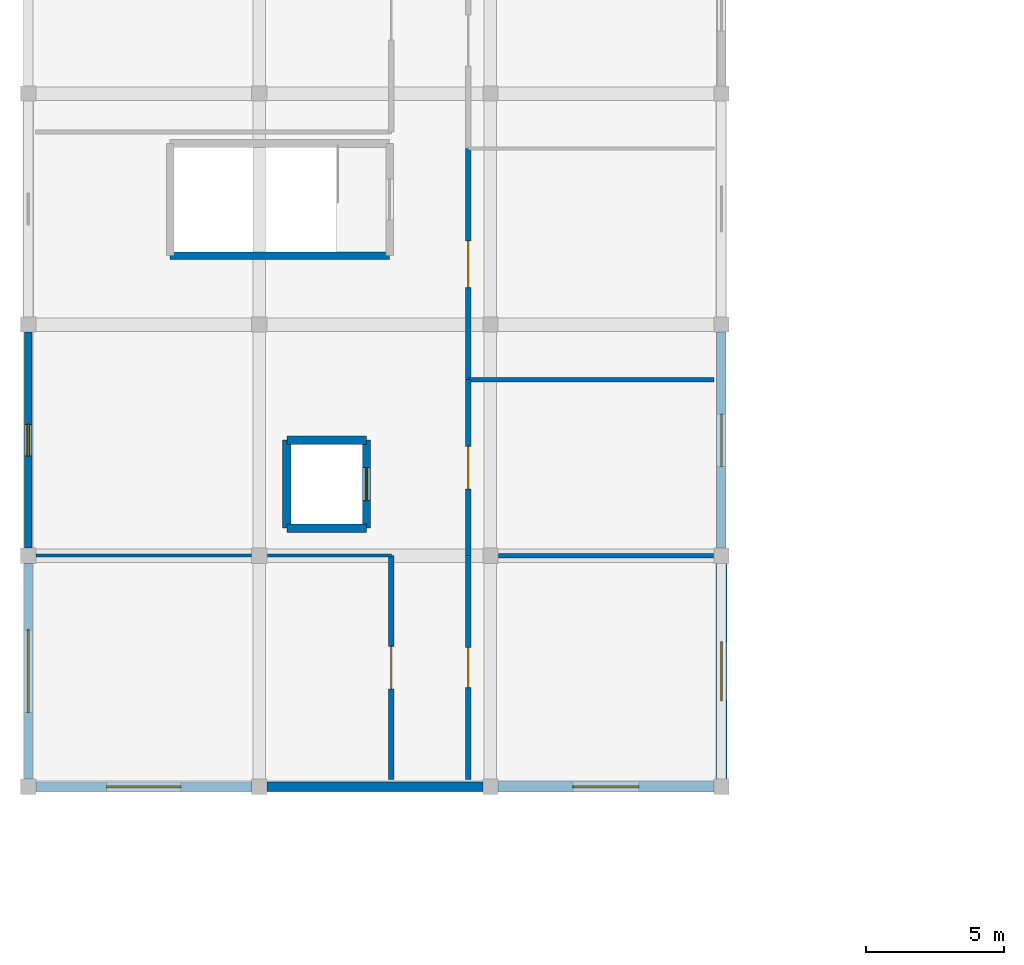
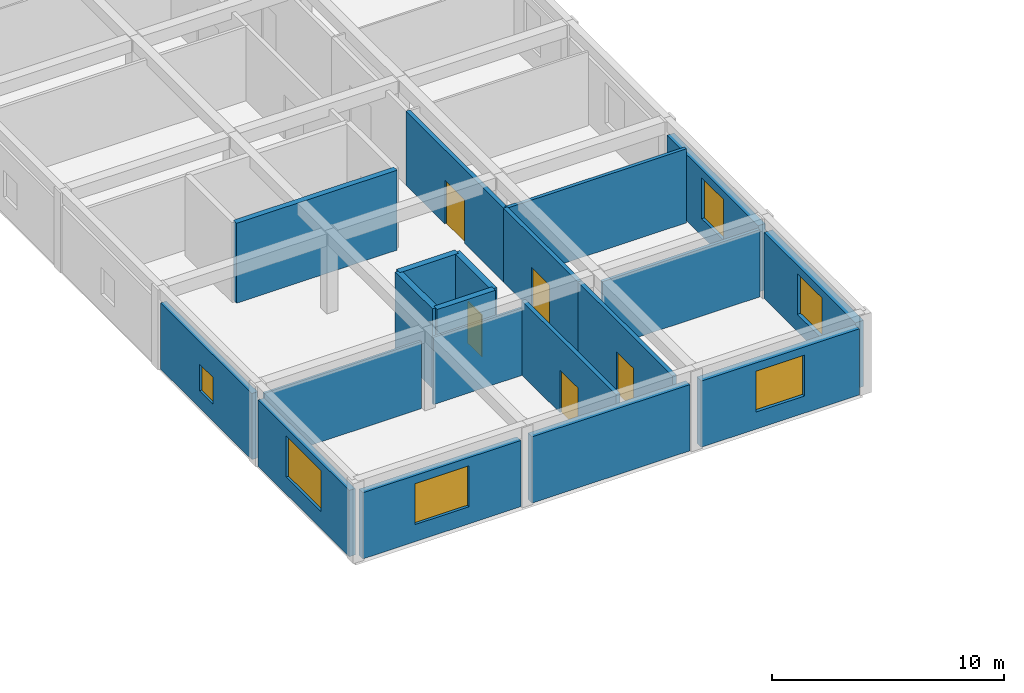
# One storey, part 43 of 77: 20 walls, 6 windows, 5 doors, 11 openings.
"""IFC4 building model written with IfcOpenShell, lengths in metres."""

from ifc_helpers import new_model, si_unit, direction, frame, frame_2d, origin, place, context, subcontext, project, spatial, rectangle, extrude, material, layer, layer_set, type_object, element, fill, save


model = new_model("IFC4")

# Units and contexts
model_context = context("Model", 3, precision=1e-05, world=origin(), true_north=direction((0.0, 1.0)))
body_context = subcontext(model_context, "Body", "Model", "MODEL_VIEW")
ifc_project = project(units=[si_unit("LENGTHUNIT", "METRE"), si_unit("AREAUNIT", "SQUARE_METRE"), si_unit("VOLUMEUNIT", "CUBIC_METRE"), si_unit("PLANEANGLEUNIT", "RADIAN"), si_unit("MASSUNIT", "GRAM", prefix="KILO")], contexts=[model_context])

# Site, building, storey
site_placement = place(None, origin())
site = spatial("IfcSite", under=ifc_project, at=site_placement, CompositionType="ELEMENT")
building_placement = place(site_placement, origin())
building = spatial("IfcBuilding", under=site, at=building_placement, Name="Varncliffe General Hospital", CompositionType="ELEMENT")
storey_placement = place(building_placement, frame((0.0, 0.0, 16.199951171875)))
storey = spatial("IfcBuildingStorey", under=building, at=storey_placement, Name="L03", CompositionType="ELEMENT", Elevation=16.199951171875)

# Wall, opening, window
ifc_material_1 = material(Name="Precast concrete C40/50 with insulated cream lime-cement stucco", Category="concrete")
ifc_layer_1 = layer(ifc_material_1, 0.31005859375)
ifc_layer_set_1 = layer_set([ifc_layer_1], Name="Precast concrete C40/50 with insulated cream lime-cement stucco")
wall_type_1 = type_object("IfcWallType", Name="Exterior Insulated Stucco Wall EW20 (310mm)", PredefinedType="SOLIDWALL", material=ifc_layer_set_1)
wall_1_placement = place(storey_placement, frame((0.0, 41.072998046875, 0.0), z_axis=(0.0, 0.0, 1.0), x_axis=(0.0, 1.0, 0.0)))
wall_1 = element("IfcWall", 1, at=wall_1_placement, inside=storey, type_object=wall_type_1, Name="L03 Exterior Stucco Wall EW20-298", PredefinedType="SOLIDWALL", context=body_context, shape_type="SweptSolid", body=[
    extrude(rectangle(XDim=7.85400390625, YDim=0.31005859375, at=frame_2d((3.927001953125, 0.0))), origin(), (0.0, 0.0, 1.0), 3.47998046875),
])
opening_1_placement = place(wall_1_placement, frame((2.427001953125, 0.0, 0.89990234375)))
opening_1 = element("IfcOpeningElement", 2, at=opening_1_placement, cuts=wall_1, Name="Opening WN37", PredefinedType="OPENING", context=body_context, shape_type="SweptSolid", body=[
    extrude(rectangle(XDim=3.0, YDim=2.14990234375, at=frame_2d((1.5, 1.074951171875))), frame((0.0, 0.1650390625, 0.0), z_axis=(0.0, -1.0, 0.0), x_axis=(1.0, 0.0, 0.0)), (0.0, 0.0, 1.0), 0.330078125),
])
ifc_material_2 = material(Name="Triple low-E argon insulated vision glazing", Category="glass")
window_type_1 = type_object("IfcWindowType", Name="Triple-Glazed Hospital Window WN37 (3000x2150)", PartitioningType="DOUBLE_PANEL_VERTICAL", PredefinedType="WINDOW", material=ifc_material_2)
window_1_placement = place(opening_1_placement, origin())
window_1 = element("IfcWindow", 3, at=window_1_placement, inside=storey, type_object=window_type_1, Name="L03 Hospital Window WN37-216", OverallHeight=2.14990234375, OverallWidth=3.0, PartitioningType="DOUBLE_PANEL_VERTICAL", PredefinedType="WINDOW", context=body_context, shape_type="SweptSolid", body=[
    extrude(rectangle(XDim=3.0, YDim=2.14990234375, at=frame_2d((1.5, 1.074951171875))), frame((0.0, 0.030029296875, 0.0), z_axis=(0.0, -1.0, 0.0), x_axis=(1.0, 0.0, 0.0)), (0.0, 0.0, 1.0), 0.06005859375),
])
fill(opening_1, window_1)

ifc_layer_2 = layer(ifc_material_1, 0.3798828125)
ifc_layer_set_2 = layer_set([ifc_layer_2], Name="Precast concrete C40/50 with insulated cream lime-cement stucco")
wall_type_2 = type_object("IfcWallType", Name="Exterior Insulated Stucco Wall EW26 (380mm)", PredefinedType="SOLIDWALL", material=ifc_layer_set_2)
wall_2_placement = place(storey_placement, frame((24.927001953125, 40.800048828125, 0.0), z_axis=(0.0, 0.0, 1.0), x_axis=(-1.0, 0.0, 0.0)))
wall_2 = element("IfcWall", 4, at=wall_2_placement, inside=storey, type_object=wall_type_2, Name="L03 Exterior Stucco Wall EW26-295", PredefinedType="SOLIDWALL", context=body_context, shape_type="SweptSolid", body=[
    extrude(rectangle(XDim=7.85400390625, YDim=0.3798828125, at=frame_2d((3.927001953125, 0.0))), origin(), (0.0, 0.0, 1.0), 3.47998046875),
])
opening_2_placement = place(wall_2_placement, frame((2.72705078125, 0.0, 0.89990234375)))
opening_2 = element("IfcOpeningElement", 5, at=opening_2_placement, cuts=wall_2, Name="Opening WN61", PredefinedType="OPENING", context=body_context, shape_type="SweptSolid", body=[
    extrude(rectangle(XDim=2.39990234375, YDim=2.14990234375, at=frame_2d((1.199951171875, 1.074951171875))), frame((0.0, 0.199951171875, 0.0), z_axis=(0.0, -1.0, 0.0), x_axis=(1.0, 0.0, 0.0)), (0.0, 0.0, 1.0), 0.39990234375),
])
window_type_2 = type_object("IfcWindowType", Name="Triple-Glazed Hospital Window WN61 (2400x2150)", PartitioningType="DOUBLE_PANEL_VERTICAL", PredefinedType="WINDOW", material=ifc_material_2)
window_2_placement = place(opening_2_placement, origin())
window_2 = element("IfcWindow", 6, at=window_2_placement, inside=storey, type_object=window_type_2, Name="L03 Hospital Window WN61-214", OverallHeight=2.14990234375, OverallWidth=2.39990234375, PartitioningType="DOUBLE_PANEL_VERTICAL", PredefinedType="WINDOW", context=body_context, shape_type="SweptSolid", body=[
    extrude(rectangle(XDim=2.39990234375, YDim=2.14990234375, at=frame_2d((1.199951171875, 1.074951171875))), frame((0.0, 0.030029296875, 0.0), z_axis=(0.0, -1.0, 0.0), x_axis=(1.0, 0.0, 0.0)), (0.0, 0.0, 1.0), 0.06005859375),
])
fill(opening_2, window_2)

ifc_layer_3 = layer(ifc_material_1, 0.2900390625)
ifc_layer_set_3 = layer_set([ifc_layer_3], Name="Precast concrete C40/50 with insulated cream lime-cement stucco")
wall_type_3 = type_object("IfcWallType", Name="Exterior Insulated Stucco Wall EW31 (290mm)", PredefinedType="SOLIDWALL", material=ifc_layer_set_3)
wall_3_placement = place(storey_placement, frame((0.0, 49.472900390625, 0.0), z_axis=(0.0, 0.0, 1.0), x_axis=(0.0, 1.0, 0.0)))
wall_3 = element("IfcWall", 7, at=wall_3_placement, inside=storey, type_object=wall_type_3, Name="L03 Exterior Stucco Wall EW31-299", PredefinedType="SOLIDWALL", context=body_context, shape_type="SweptSolid", body=[
    extrude(rectangle(XDim=7.85400390625, YDim=0.2900390625, at=frame_2d((3.927001953125, 0.0))), origin(), (0.0, 0.0, 1.0), 3.47998046875),
])
opening_3_placement = place(wall_3_placement, frame((3.35205078125, 0.0, 0.89990234375)))
opening_3 = element("IfcOpeningElement", 8, at=opening_3_placement, cuts=wall_3, Name="Opening WN62", PredefinedType="OPENING", context=body_context, shape_type="SweptSolid", body=[
    extrude(rectangle(XDim=1.14990234375, YDim=1.39990234375, at=frame_2d((0.574951171875, 0.699951171875))), frame((0.0, 0.155029296875, 0.0), z_axis=(0.0, -1.0, 0.0), x_axis=(1.0, 0.0, 0.0)), (0.0, 0.0, 1.0), 0.31005859375),
])
window_type_3 = type_object("IfcWindowType", Name="Triple-Glazed Hospital Window WN62 (1150x1400)", PartitioningType="SINGLE_PANEL", PredefinedType="WINDOW", material=ifc_material_2)
window_3_placement = place(opening_3_placement, origin())
window_3 = element("IfcWindow", 9, at=window_3_placement, inside=storey, type_object=window_type_3, Name="L03 Hospital Window WN62-217", OverallHeight=1.39990234375, OverallWidth=1.14990234375, PartitioningType="SINGLE_PANEL", PredefinedType="WINDOW", context=body_context, shape_type="SweptSolid", body=[
    extrude(rectangle(XDim=1.14990234375, YDim=1.39990234375, at=frame_2d((0.574951171875, 0.699951171875))), frame((0.0, 0.030029296875, 0.0), z_axis=(0.0, -1.0, 0.0), x_axis=(1.0, 0.0, 0.0)), (0.0, 0.0, 1.0), 0.06005859375),
])
fill(opening_3, window_3)

ifc_layer_4 = layer(ifc_material_1, 0.330078125)
ifc_layer_set_4 = layer_set([ifc_layer_4], Name="Precast concrete C40/50 with insulated cream lime-cement stucco")
wall_type_4 = type_object("IfcWallType", Name="Exterior Insulated Stucco Wall EW33 (330mm)", PredefinedType="SOLIDWALL", material=ifc_layer_set_4)
wall_4_placement = place(storey_placement, frame((8.126953125, 40.800048828125, 0.0), z_axis=(0.0, 0.0, 1.0), x_axis=(-1.0, 0.0, 0.0)))
wall_4 = element("IfcWall", 10, at=wall_4_placement, inside=storey, type_object=wall_type_4, Name="L03 Exterior Stucco Wall EW33-297", PredefinedType="SOLIDWALL", context=body_context, shape_type="SweptSolid", body=[
    extrude(rectangle(XDim=7.85400390625, YDim=0.330078125, at=frame_2d((3.927001953125, 0.0))), origin(), (0.0, 0.0, 1.0), 3.47998046875),
])
opening_4_placement = place(wall_4_placement, frame((2.576904296875, 0.0, 0.89990234375)))
opening_4 = element("IfcOpeningElement", 11, at=opening_4_placement, cuts=wall_4, Name="Opening WN58", PredefinedType="OPENING", context=body_context, shape_type="SweptSolid", body=[
    extrude(rectangle(XDim=2.699951171875, YDim=2.14990234375, at=frame_2d((1.35009765625, 1.074951171875))), frame((0.0, 0.175048828125, 0.0), z_axis=(0.0, -1.0, 0.0), x_axis=(1.0, 0.0, 0.0)), (0.0, 0.0, 1.0), 0.35009765625),
])
window_type_4 = type_object("IfcWindowType", Name="Triple-Glazed Hospital Window WN58 (2700x2150)", PartitioningType="DOUBLE_PANEL_VERTICAL", PredefinedType="WINDOW", material=ifc_material_2)
window_4_placement = place(opening_4_placement, origin())
window_4 = element("IfcWindow", 12, at=window_4_placement, inside=storey, type_object=window_type_4, Name="L03 Hospital Window WN58-215", OverallHeight=2.14990234375, OverallWidth=2.699951171875, PartitioningType="DOUBLE_PANEL_VERTICAL", PredefinedType="WINDOW", context=body_context, shape_type="SweptSolid", body=[
    extrude(rectangle(XDim=2.699951171875, YDim=2.14990234375, at=frame_2d((1.35009765625, 1.074951171875))), frame((0.0, 0.030029296875, 0.0), z_axis=(0.0, -1.0, 0.0), x_axis=(1.0, 0.0, 0.0)), (0.0, 0.0, 1.0), 0.06005859375),
])
fill(opening_4, window_4)

ifc_layer_5 = layer(ifc_material_1, 0.35009765625)
ifc_layer_set_5 = layer_set([ifc_layer_5], Name="Precast concrete C40/50 with insulated cream lime-cement stucco")
wall_type_5 = type_object("IfcWallType", Name="Exterior Insulated Stucco Wall EW37 (350mm)", PredefinedType="SOLIDWALL", material=ifc_layer_set_5)
wall_5_placement = place(storey_placement, frame((25.199951171875, 57.326904296875, 0.0), z_axis=(0.0, 0.0, 1.0), x_axis=(0.0, -1.0, 0.0)))
wall_5 = element("IfcWall", 13, at=wall_5_placement, inside=storey, type_object=wall_type_5, Name="L03 Exterior Stucco Wall EW37-293", PredefinedType="SOLIDWALL", context=body_context, shape_type="SweptSolid", body=[
    extrude(rectangle(XDim=7.85400390625, YDim=0.35009765625, at=frame_2d((3.927001953125, 0.0))), origin(), (0.0, 0.0, 1.0), 3.47998046875),
])
opening_5_placement = place(wall_5_placement, frame((2.97705078125, 0.0, 0.89990234375)))
opening_5 = element("IfcOpeningElement", 14, at=opening_5_placement, cuts=wall_5, Name="Opening WN15", PredefinedType="OPENING", context=body_context, shape_type="SweptSolid", body=[
    extrude(rectangle(XDim=1.89990234375, YDim=2.14990234375, at=frame_2d((0.949951171875, 1.074951171875))), frame((0.0, 0.18505859375, 0.0), z_axis=(0.0, -1.0, 0.0), x_axis=(1.0, 0.0, 0.0)), (0.0, 0.0, 1.0), 0.3701171875),
])
window_type_5 = type_object("IfcWindowType", Name="Triple-Glazed Hospital Window WN15 (1900x2150)", PartitioningType="DOUBLE_PANEL_VERTICAL", PredefinedType="WINDOW", material=ifc_material_2)
window_5_placement = place(opening_5_placement, origin())
window_5 = element("IfcWindow", 15, at=window_5_placement, inside=storey, type_object=window_type_5, Name="L03 Hospital Window WN15-212", OverallHeight=2.14990234375, OverallWidth=1.89990234375, PartitioningType="DOUBLE_PANEL_VERTICAL", PredefinedType="WINDOW", context=body_context, shape_type="SweptSolid", body=[
    extrude(rectangle(XDim=1.89990234375, YDim=2.14990234375, at=frame_2d((0.949951171875, 1.074951171875))), frame((0.0, 0.030029296875, 0.0), z_axis=(0.0, -1.0, 0.0), x_axis=(1.0, 0.0, 0.0)), (0.0, 0.0, 1.0), 0.06005859375),
])
fill(opening_5, window_5)

# Wall
wall_6_placement = place(storey_placement, frame((16.527099609375, 40.800048828125, 0.0), z_axis=(0.0, 0.0, 1.0), x_axis=(-1.0, 0.0, 0.0)))
element("IfcWall", 16, at=wall_6_placement, inside=storey, type_object=wall_type_5, Name="L03 Exterior Stucco Wall EW37-296", PredefinedType="SOLIDWALL", context=body_context, shape_type="SweptSolid", body=[
    extrude(rectangle(XDim=7.85400390625, YDim=0.35009765625, at=frame_2d((3.927001953125, 0.0))), origin(), (0.0, 0.0, 1.0), 3.47998046875),
])

# Wall, opening, window
ifc_layer_6 = layer(ifc_material_1, 0.39990234375)
ifc_layer_set_6 = layer_set([ifc_layer_6], Name="Precast concrete C40/50 with insulated cream lime-cement stucco")
wall_type_6 = type_object("IfcWallType", Name="Exterior Insulated Stucco Wall EW47 (400mm)", PredefinedType="SOLIDWALL", material=ifc_layer_set_6)
wall_7_placement = place(storey_placement, frame((25.199951171875, 48.927001953125, 0.0), z_axis=(0.0, 0.0, 1.0), x_axis=(0.0, -1.0, 0.0)))
wall_7 = element("IfcWall", 17, at=wall_7_placement, inside=storey, type_object=wall_type_6, Name="L03 Exterior Stucco Wall EW47-294", PredefinedType="SOLIDWALL", context=body_context, shape_type="SweptSolid", body=[
    extrude(rectangle(XDim=7.85400390625, YDim=0.39990234375, at=frame_2d((3.927001953125, 0.0))), origin(), (0.0, 0.0, 1.0), 3.47998046875),
])
opening_6_placement = place(wall_7_placement, frame((2.85205078125, 0.0, 0.89990234375)))
opening_6 = element("IfcOpeningElement", 18, at=opening_6_placement, cuts=wall_7, Name="Opening WN57", PredefinedType="OPENING", context=body_context, shape_type="SweptSolid", body=[
    extrude(rectangle(XDim=2.14990234375, YDim=2.14990234375, at=frame_2d((1.074951171875, 1.074951171875))), frame((0.0, 0.2099609375, 0.0), z_axis=(0.0, -1.0, 0.0), x_axis=(1.0, 0.0, 0.0)), (0.0, 0.0, 1.0), 0.419921875),
])
window_type_6 = type_object("IfcWindowType", Name="Triple-Glazed Hospital Window WN57 (2150x2150)", PartitioningType="DOUBLE_PANEL_VERTICAL", PredefinedType="WINDOW", material=ifc_material_2)
window_6_placement = place(opening_6_placement, origin())
window_6 = element("IfcWindow", 19, at=window_6_placement, inside=storey, type_object=window_type_6, Name="L03 Hospital Window WN57-213", OverallHeight=2.14990234375, OverallWidth=2.14990234375, PartitioningType="DOUBLE_PANEL_VERTICAL", PredefinedType="WINDOW", context=body_context, shape_type="SweptSolid", body=[
    extrude(rectangle(XDim=2.14990234375, YDim=2.14990234375, at=frame_2d((1.074951171875, 1.074951171875))), frame((0.0, 0.030029296875, 0.0), z_axis=(0.0, -1.0, 0.0), x_axis=(1.0, 0.0, 0.0)), (0.0, 0.0, 1.0), 0.06005859375),
])
fill(opening_6, window_6)

# Walls
ifc_material_3 = material(Name="Acoustic clinical gypsum stud partition assembly", Category="gypsum")
ifc_layer_7 = layer(ifc_material_3, 0.169921875)
ifc_layer_set_7 = layer_set([ifc_layer_7], Name="Acoustic clinical gypsum stud partition assembly")
wall_type_7 = type_object("IfcWallType", Name="Interior Partitioning IW20 (170mm)", PredefinedType="PARTITIONING", material=ifc_layer_set_7)
wall_8_placement = place(storey_placement, frame((16.0, 55.60009765625, 0.0), z_axis=(0.0, 0.0, 1.0), x_axis=(1.0, 0.0, 0.0)))
element("IfcWall", 20, at=wall_8_placement, inside=storey, type_object=wall_type_7, Name="L03 Interior Partition Wall IW20-1345", PredefinedType="PARTITIONING", context=body_context, shape_type="SweptSolid", body=[
    extrude(rectangle(XDim=8.93994140625, YDim=0.169921875, at=frame_2d((4.469970703125, 0.0))), origin(), (0.0, 0.0, 1.0), 3.89013671875),
])
ifc_layer_8 = layer(ifc_material_3, 0.14990234375)
ifc_layer_set_8 = layer_set([ifc_layer_8], Name="Acoustic clinical gypsum stud partition assembly")
wall_type_8 = type_object("IfcWallType", Name="Interior Partitioning IW35 (150mm)", PredefinedType="PARTITIONING", material=ifc_layer_set_8)
wall_9_placement = place(storey_placement, frame((17.090087890625, 49.199951171875, 0.0), z_axis=(0.0, 0.0, 1.0), x_axis=(1.0, 0.0, 0.0)))
element("IfcWall", 21, at=wall_9_placement, inside=storey, type_object=wall_type_8, Name="L03 Interior Partition Wall IW35-1344", PredefinedType="PARTITIONING", context=body_context, shape_type="SweptSolid", body=[
    extrude(rectangle(XDim=7.81982421875, YDim=0.14990234375, at=frame_2d((3.909912109375, 0.0))), origin(), (0.0, 0.0, 1.0), 3.53515625),
])
ifc_layer_9 = layer(ifc_material_3, 0.110107421875)
ifc_layer_set_9 = layer_set([ifc_layer_9], Name="Acoustic clinical gypsum stud partition assembly")
wall_type_9 = type_object("IfcWallType", Name="Interior Partitioning IW65 (110mm)", PredefinedType="PARTITIONING", material=ifc_layer_set_9)
wall_10_placement = place(storey_placement, frame((0.2900390625, 49.199951171875, 0.0), z_axis=(0.0, 0.0, 1.0), x_axis=(1.0, 0.0, 0.0)))
element("IfcWall", 22, at=wall_10_placement, inside=storey, type_object=wall_type_9, Name="L03 Interior Partition Wall IW65-1342", PredefinedType="PARTITIONING", context=body_context, shape_type="SweptSolid", body=[
    extrude(rectangle(XDim=7.820068359375, YDim=0.110107421875, at=frame_2d((3.91015625, 0.0))), origin(), (0.0, 0.0, 1.0), 3.53515625),
])
wall_11_placement = place(storey_placement, frame((8.68994140625, 49.199951171875, 0.0), z_axis=(0.0, 0.0, 1.0), x_axis=(1.0, 0.0, 0.0)))
element("IfcWall", 23, at=wall_11_placement, inside=storey, type_object=wall_type_9, Name="L03 Interior Partition Wall IW65-1343", PredefinedType="PARTITIONING", context=body_context, shape_type="SweptSolid", body=[
    extrude(rectangle(XDim=4.510009765625, YDim=0.110107421875, at=frame_2d((2.2548828125, 0.0))), origin(), (0.0, 0.0, 1.0), 3.53515625),
])

# Wall, opening, door
ifc_material_4 = material(Name="Fire-rated gypsum and mineral-wool partition assembly", Category="gypsum")
ifc_layer_10 = layer(ifc_material_4, 0.199951171875)
ifc_layer_set_10 = layer_set([ifc_layer_10], Name="Fire-rated gypsum and mineral-wool partition assembly")
wall_type_10 = type_object("IfcWallType", Name="Interior Partitioning PW63 (200mm)", PredefinedType="PARTITIONING", material=ifc_layer_set_10)
wall_12_placement = place(storey_placement, frame((13.199951171875, 41.06005859375, 0.0), z_axis=(0.0, 0.0, 1.0), x_axis=(0.0, 1.0, 0.0)))
wall_12 = element("IfcWall", 24, at=wall_12_placement, inside=storey, type_object=wall_type_10, Name="L03 Interior Partition Wall PW63-1518", PredefinedType="PARTITIONING", context=body_context, shape_type="SweptSolid", body=[
    extrude(rectangle(XDim=8.139892578125, YDim=0.199951171875, at=frame_2d((4.06982421875, 0.0))), origin(), (0.0, 0.0, 1.0), 3.89013671875),
])
opening_7_placement = place(wall_12_placement, frame((3.294921875, 0.0, 0.0)))
opening_7 = element("IfcOpeningElement", 25, at=opening_7_placement, cuts=wall_12, Name="Opening DC67", PredefinedType="OPENING", context=body_context, shape_type="SweptSolid", body=[
    extrude(rectangle(XDim=1.550048828125, YDim=2.25, at=frame_2d((0.77490234375, 1.125))), frame((0.0, 0.10986328125, 0.0), z_axis=(0.0, -1.0, 0.0), x_axis=(1.0, 0.0, 0.0)), (0.0, 0.0, 1.0), 0.219970703125),
])
ifc_material_5 = material(Name="Fire-rated hospital steel-frame vision-panel door", Category="steel")
door_type_1 = type_object("IfcDoorType", Name="Interior Hospital Door DC67 (1550x2250)", OperationType="NOTDEFINED", PredefinedType="DOOR", material=ifc_material_5)
door_1_placement = place(opening_7_placement, origin())
door_1 = element("IfcDoor", 26, at=door_1_placement, inside=storey, type_object=door_type_1, Name="L03 Interventional Cardiology Cath Suite 33 Door", OperationType="SINGLE_SWING_LEFT", OverallHeight=2.25, OverallWidth=1.550048828125, PredefinedType="DOOR", context=body_context, shape_type="SweptSolid", body=[
    extrude(rectangle(XDim=1.550048828125, YDim=2.25, at=frame_2d((0.77490234375, 1.125))), frame((0.0, 0.02490234375, 0.0), z_axis=(0.0, -1.0, 0.0), x_axis=(1.0, 0.0, 0.0)), (0.0, 0.0, 1.0), 0.050048828125),
])
fill(opening_7, door_1)

wall_13_placement = place(storey_placement, frame((16.0, 41.06005859375, 0.0), z_axis=(0.0, 0.0, 1.0), x_axis=(0.0, 1.0, 0.0)))
wall_13 = element("IfcWall", 27, at=wall_13_placement, inside=storey, type_object=wall_type_10, Name="L03 Interior Partition Wall PW63-1524", PredefinedType="PARTITIONING", context=body_context, shape_type="SweptSolid", body=[
    extrude(rectangle(XDim=8.139892578125, YDim=0.199951171875, at=frame_2d((4.06982421875, 0.0))), origin(), (0.0, 0.0, 1.0), 3.89013671875),
])
opening_8_placement = place(wall_13_placement, frame((3.344970703125, 0.0, 0.0)))
opening_8 = element("IfcOpeningElement", 28, at=opening_8_placement, cuts=wall_13, Name="Opening DC66", PredefinedType="OPENING", context=body_context, shape_type="SweptSolid", body=[
    extrude(rectangle(XDim=1.449951171875, YDim=2.25, at=frame_2d((0.72509765625, 1.125))), frame((0.0, 0.10986328125, 0.0), z_axis=(0.0, -1.0, 0.0), x_axis=(1.0, 0.0, 0.0)), (0.0, 0.0, 1.0), 0.219970703125),
])
door_type_2 = type_object("IfcDoorType", Name="Interior Hospital Door DC66 (1450x2250)", OperationType="NOTDEFINED", PredefinedType="DOOR", material=ifc_material_5)
door_2_placement = place(opening_8_placement, frame((1.449951171875, 0.0, 0.0), z_axis=(0.0, 0.0, 1.0), x_axis=(-1.0, 0.0, 0.0)))
door_2 = element("IfcDoor", 29, at=door_2_placement, inside=storey, type_object=door_type_2, Name="L03 Interventional Cardiology Cath Suite 37 Door", OperationType="SINGLE_SWING_LEFT", OverallHeight=2.25, OverallWidth=1.449951171875, PredefinedType="DOOR", context=body_context, shape_type="SweptSolid", body=[
    extrude(rectangle(XDim=1.449951171875, YDim=2.25, at=frame_2d((0.72509765625, 1.125))), frame((0.0, 0.02490234375, 0.0), z_axis=(0.0, -1.0, 0.0), x_axis=(1.0, 0.0, 0.0)), (0.0, 0.0, 1.0), 0.050048828125),
])
fill(opening_8, door_2)

wall_14_placement = place(storey_placement, frame((16.0, 49.199951171875, 0.0), z_axis=(0.0, 0.0, 1.0), x_axis=(0.0, 1.0, 0.0)))
wall_14 = element("IfcWall", 30, at=wall_14_placement, inside=storey, type_object=wall_type_10, Name="L03 Interior Partition Wall PW63-1525", PredefinedType="PARTITIONING", context=body_context, shape_type="SweptSolid", body=[
    extrude(rectangle(XDim=6.400146484375, YDim=0.199951171875, at=frame_2d((3.2001953125, 0.0))), origin(), (0.0, 0.0, 1.0), 3.89013671875),
])
opening_9_placement = place(wall_14_placement, frame((2.425048828125, 0.0, 0.0)))
opening_9 = element("IfcOpeningElement", 31, at=opening_9_placement, cuts=wall_14, Name="Opening DC67", PredefinedType="OPENING", context=body_context, shape_type="SweptSolid", body=[
    extrude(rectangle(XDim=1.550048828125, YDim=2.25, at=frame_2d((0.77490234375, 1.125))), frame((0.0, 0.10986328125, 0.0), z_axis=(0.0, -1.0, 0.0), x_axis=(1.0, 0.0, 0.0)), (0.0, 0.0, 1.0), 0.219970703125),
])
door_3_placement = place(opening_9_placement, frame((1.550048828125, 0.0, 0.0), z_axis=(0.0, 0.0, 1.0), x_axis=(-1.0, 0.0, 0.0)))
door_3 = element("IfcDoor", 32, at=door_3_placement, inside=storey, type_object=door_type_1, Name="L03 Step-Down Intensive Care Room 38 Door", OperationType="SINGLE_SWING_RIGHT", OverallHeight=2.25, OverallWidth=1.550048828125, PredefinedType="DOOR", context=body_context, shape_type="SweptSolid", body=[
    extrude(rectangle(XDim=1.550048828125, YDim=2.25, at=frame_2d((0.77490234375, 1.125))), frame((0.0, 0.02490234375, 0.0), z_axis=(0.0, -1.0, 0.0), x_axis=(1.0, 0.0, 0.0)), (0.0, 0.0, 1.0), 0.050048828125),
])
fill(opening_9, door_3)

wall_15_placement = place(storey_placement, frame((16.0, 55.60009765625, 0.0), z_axis=(0.0, 0.0, 1.0), x_axis=(0.0, 1.0, 0.0)))
wall_15 = element("IfcWall", 33, at=wall_15_placement, inside=storey, type_object=wall_type_10, Name="L03 Interior Partition Wall PW63-1526", PredefinedType="PARTITIONING", context=body_context, shape_type="SweptSolid", body=[
    extrude(rectangle(XDim=8.39990234375, YDim=0.199951171875, at=frame_2d((4.199951171875, 0.0))), origin(), (0.0, 0.0, 1.0), 3.89013671875),
])
opening_10_placement = place(wall_15_placement, frame((3.35009765625, 0.0, 0.0)))
opening_10 = element("IfcOpeningElement", 34, at=opening_10_placement, cuts=wall_15, Name="Opening DC50", PredefinedType="OPENING", context=body_context, shape_type="SweptSolid", body=[
    extrude(rectangle(XDim=1.699951171875, YDim=2.300048828125, at=frame_2d((0.85009765625, 1.14990234375))), frame((0.0, 0.10986328125, 0.0), z_axis=(0.0, -1.0, 0.0), x_axis=(1.0, 0.0, 0.0)), (0.0, 0.0, 1.0), 0.219970703125),
])
door_type_3 = type_object("IfcDoorType", Name="Interior Hospital Door DC50 (1700x2300)", OperationType="NOTDEFINED", PredefinedType="DOOR", material=ifc_material_5)
door_4_placement = place(opening_10_placement, frame((1.699951171875, 0.0, 0.0), z_axis=(0.0, 0.0, 1.0), x_axis=(-1.0, 0.0, 0.0)))
door_4 = element("IfcDoor", 35, at=door_4_placement, inside=storey, type_object=door_type_3, Name="L03 Interventional Cardiology Cath Suite 39 Door", OperationType="SINGLE_SWING_LEFT", OverallHeight=2.300048828125, OverallWidth=1.699951171875, PredefinedType="DOOR", context=body_context, shape_type="SweptSolid", body=[
    extrude(rectangle(XDim=1.699951171875, YDim=2.300048828125, at=frame_2d((0.85009765625, 1.14990234375))), frame((0.0, 0.02490234375, 0.0), z_axis=(0.0, -1.0, 0.0), x_axis=(1.0, 0.0, 0.0)), (0.0, 0.0, 1.0), 0.050048828125),
])
fill(opening_10, door_4)

# Wall
ifc_material_6 = material(Name="Concrete C40/50 (CSA A23.1 40 MPa)", Category="concrete")
ifc_layer_11 = layer(ifc_material_6, 0.300048828125)
ifc_layer_set_11 = layer_set([ifc_layer_11], Name="Concrete C40/50 (CSA A23.1 40 MPa)")
wall_type_11 = type_object("IfcWallType", Name="Reinforced Concrete Core Shear Wall CW12 (300mm)", PredefinedType="SHEAR", material=ifc_layer_set_11)
wall_16_placement = place(storey_placement, frame((9.39990234375, 50.199951171875, 0.0), z_axis=(0.0, 0.0, 1.0), x_axis=(1.0, 0.0, 0.0)))
element("IfcWall", 36, at=wall_16_placement, inside=storey, type_object=wall_type_11, Name="L03 LF06 Elevator Shaft Wall South", PredefinedType="SHEAR", context=body_context, shape_type="SweptSolid", body=[
    extrude(rectangle(XDim=2.900146484375, YDim=0.300048828125, at=frame_2d((1.4501953125, 0.0))), origin(), (0.0, 0.0, 1.0), 4.199951171875),
])

# Wall, opening, door
wall_17_placement = place(storey_placement, frame((12.300048828125, 50.199951171875, 0.0), z_axis=(0.0, 0.0, 1.0), x_axis=(0.0, 1.0, 0.0)))
wall_17 = element("IfcWall", 37, at=wall_17_placement, inside=storey, type_object=wall_type_11, Name="L03 LF06 Elevator Shaft Wall East", PredefinedType="SHEAR", context=body_context, shape_type="SweptSolid", body=[
    extrude(rectangle(XDim=3.199951171875, YDim=0.300048828125, at=frame_2d((1.60009765625, 0.0))), origin(), (0.0, 0.0, 1.0), 4.199951171875),
])
opening_11_placement = place(wall_17_placement, frame((1.0, 0.0, 0.0)))
opening_11 = element("IfcOpeningElement", 38, at=opening_11_placement, cuts=wall_17, Name="Opening LD01", PredefinedType="OPENING", context=body_context, shape_type="SweptSolid", body=[
    extrude(rectangle(XDim=1.199951171875, YDim=2.199951171875, at=frame_2d((0.60009765625, 1.10009765625))), frame((0.0, 0.16015625, 0.0), z_axis=(0.0, -1.0, 0.0), x_axis=(1.0, 0.0, 0.0)), (0.0, 0.0, 1.0), 0.320068359375),
])
ifc_material_7 = material(Name="Brushed stainless-steel sliding elevator landing door", Category="steel")
door_type_4 = type_object("IfcDoorType", Name="Lift Landing Door LD01 (1200x2200)", OperationType="DOUBLE_DOOR_SLIDING", PredefinedType="DOOR", material=ifc_material_7)
door_5_placement = place(opening_11_placement, origin())
door_5 = element("IfcDoor", 39, at=door_5_placement, inside=storey, type_object=door_type_4, Name="Lift Landing Door LF06 L03", OperationType="DOUBLE_DOOR_SLIDING", OverallHeight=2.199951171875, OverallWidth=1.199951171875, PredefinedType="DOOR", context=body_context, shape_type="SweptSolid", body=[
    extrude(rectangle(XDim=1.199951171875, YDim=2.199951171875, at=frame_2d((0.60009765625, 1.10009765625))), frame((0.0, 0.02490234375, 0.0), z_axis=(0.0, -1.0, 0.0), x_axis=(1.0, 0.0, 0.0)), (0.0, 0.0, 1.0), 0.050048828125),
])
fill(opening_11, door_5)

# Walls
wall_18_placement = place(storey_placement, frame((12.300048828125, 53.39990234375, 0.0), z_axis=(0.0, 0.0, 1.0), x_axis=(-1.0, 0.0, 0.0)))
element("IfcWall", 40, at=wall_18_placement, inside=storey, type_object=wall_type_11, Name="L03 LF06 Elevator Shaft Wall North", PredefinedType="SHEAR", context=body_context, shape_type="SweptSolid", body=[
    extrude(rectangle(XDim=2.900146484375, YDim=0.300048828125, at=frame_2d((1.4501953125, 0.0))), origin(), (0.0, 0.0, 1.0), 4.199951171875),
])
wall_19_placement = place(storey_placement, frame((9.39990234375, 53.39990234375, 0.0), z_axis=(0.0, 0.0, 1.0), x_axis=(0.0, -1.0, 0.0)))
element("IfcWall", 41, at=wall_19_placement, inside=storey, type_object=wall_type_11, Name="L03 LF06 Elevator Shaft Wall West", PredefinedType="SHEAR", context=body_context, shape_type="SweptSolid", body=[
    extrude(rectangle(XDim=3.199951171875, YDim=0.300048828125, at=frame_2d((1.60009765625, 0.0))), origin(), (0.0, 0.0, 1.0), 4.199951171875),
])
ifc_layer_12 = layer(ifc_material_6, 0.280029296875)
ifc_layer_set_12 = layer_set([ifc_layer_12], Name="Concrete C40/50 (CSA A23.1 40 MPa)")
wall_type_12 = type_object("IfcWallType", Name="Reinforced Concrete Core Shear Wall CW13 (280mm)", PredefinedType="SHEAR", material=ifc_layer_set_12)
wall_20_placement = place(storey_placement, frame((5.159912109375, 60.110107421875, 0.0), z_axis=(0.0, 0.0, 1.0), x_axis=(1.0, 0.0, 0.0)))
element("IfcWall", 42, at=wall_20_placement, inside=storey, type_object=wall_type_12, Name="L03 ST05 Core Shear Wall R", PredefinedType="SHEAR", context=body_context, shape_type="SweptSolid", body=[
    extrude(rectangle(XDim=7.97998046875, YDim=0.280029296875, at=frame_2d((3.989990234375, 0.0))), origin(), (0.0, 0.0, 1.0), 4.199951171875),
])

save(model, "model.ifc")
